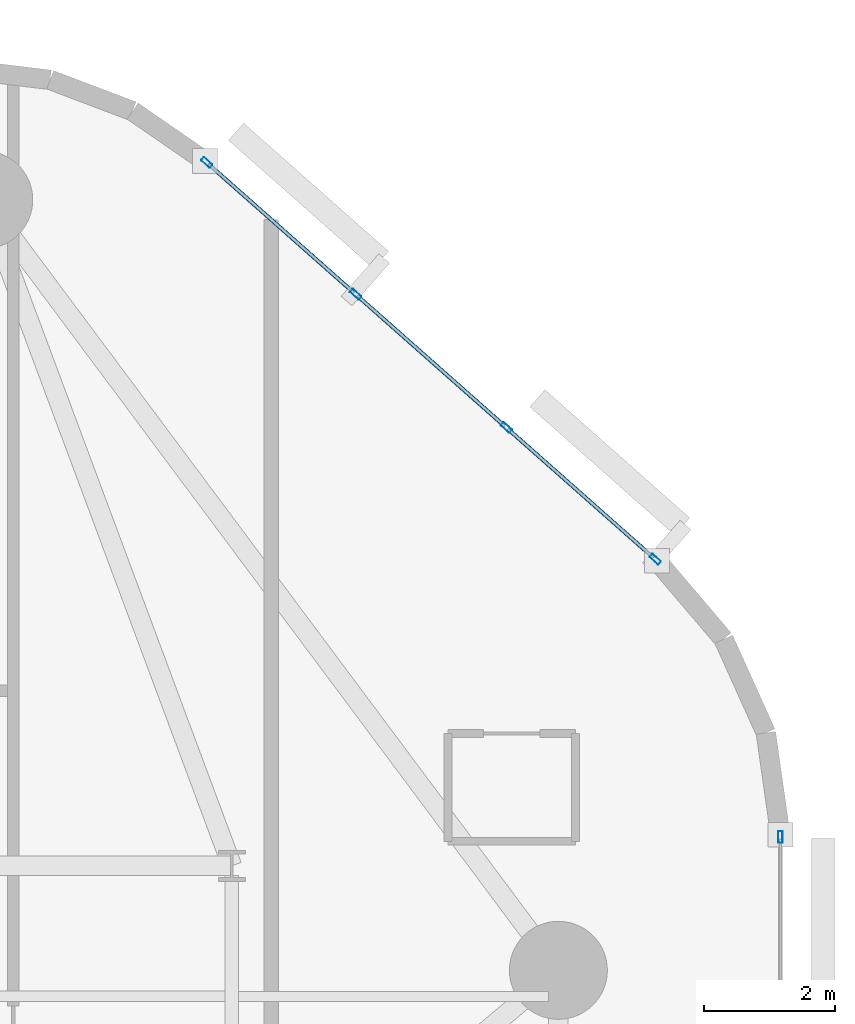
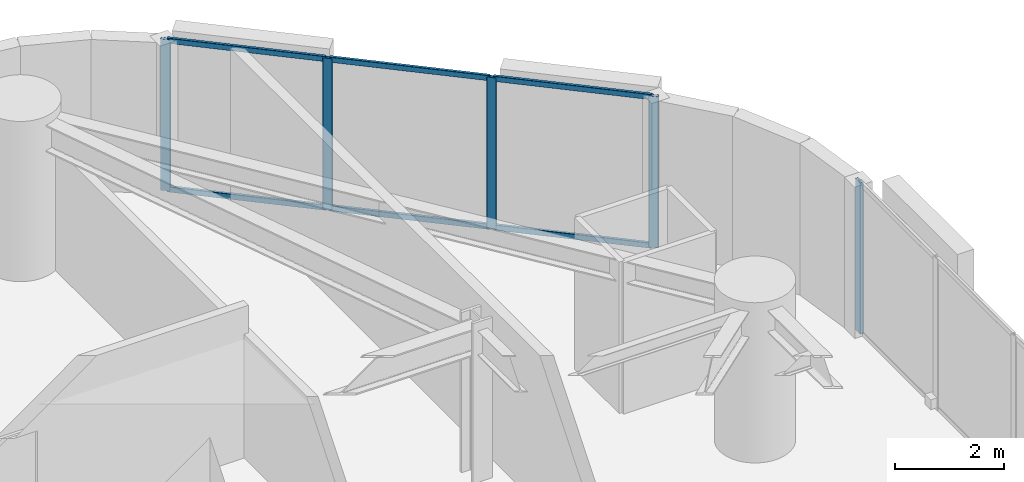
# One storey, part 8 of 16: 11 members, 2 elements without a shape of their own.
"""IFC4 building model written with IfcOpenShell, lengths in metres."""

from ifc_helpers import new_model, si_unit, direction, frame, origin, origin_2d, place, context, subcontext, project, spatial, hollow_rectangle, extrude, material, layer, layer_set, material_profile, profile_set, type_object, element, aggregate, save


model = new_model("IFC4")

# Units and contexts
model_context = context("Model", 3, precision=1e-05, world=origin(), true_north=direction((0.0, 1.0)))
body_context = subcontext(model_context, "Body", "Model", "MODEL_VIEW")
ifc_project = project(units=[si_unit("LENGTHUNIT", "METRE"), si_unit("AREAUNIT", "SQUARE_METRE"), si_unit("VOLUMEUNIT", "CUBIC_METRE"), si_unit("PLANEANGLEUNIT", "RADIAN"), si_unit("MASSUNIT", "GRAM", prefix="KILO")], contexts=[model_context])

# Site, building, storey
site_placement = place(None, origin())
site = spatial("IfcSite", under=ifc_project, at=site_placement, CompositionType="ELEMENT")
building_placement = place(site_placement, origin())
building = spatial("IfcBuilding", under=site, at=building_placement, Name="An Khanh Terracotta Commons", CompositionType="ELEMENT")
storey_placement = place(building_placement, frame((0.0, 0.0, 28.800048828125)))
storey = spatial("IfcBuildingStorey", under=building, at=storey_placement, Name="L07", CompositionType="ELEMENT", Elevation=28.800048828125)

# Curtain wall, member
ifc_material = material(Name="Anodised Aluminium 6063-T6", Category="aluminium")
ifc_layer = layer(ifc_material, 0.199951171875, Name="Anodised Aluminium 6063-T6")
ifc_layer_set = layer_set([ifc_layer], Name="Anodised Aluminium 6063-T6")
curtain_wall_type = type_object("IfcCurtainWallType", Name="CW-SYS-02", PredefinedType="USERDEFINED", material=ifc_layer_set)
curtain_wall_1_placement = place(storey_placement, origin())
curtain_wall_1 = element("IfcCurtainWall", 1, at=curtain_wall_1_placement, inside=storey, type_object=curtain_wall_type, Name="L07 CW-02 Unitised Curtain Wall CW-L07-12", ObjectType="UNITISED CURTAIN WALL", PredefinedType="USERDEFINED")
ifc_material_profile_1 = material_profile(ifc_material, hollow_rectangle(XDim=0.070068359375, YDim=0.179931640625, WallThickness=0.00390625, InnerFilletRadius=0.00390625, OuterFilletRadius=0.008056640625, at=origin_2d()), Name="RHS180x70x4")
ifc_profile_set_1 = profile_set([ifc_material_profile_1], Name="Anodised Aluminium 6063-T6")
member_type_1 = type_object("IfcMemberType", Name="CWM-RHS180x70x4", PredefinedType="MULLION", material=ifc_profile_set_1)
member_1_placement = place(storey_placement, frame((51.60009765625, 34.0419921875, 0.0), z_axis=(0.0, 0.0, 1.0), x_axis=(-1.0, 0.0, 0.0)))
member_1 = element("IfcMember", 2, at=member_1_placement, type_object=member_type_1, Name="CW-02 mullion 8", PredefinedType="MULLION", context=body_context, shape_type="SweptSolid", body=[
    extrude(hollow_rectangle(XDim=0.070068359375, YDim=0.179931640625, WallThickness=0.00390625, InnerFilletRadius=0.00390625, OuterFilletRadius=0.008056640625, at=origin_2d()), origin(), (0.0, 0.0, 1.0), 3.39990234375),
])
aggregate(curtain_wall_1, [member_1])

# Curtain wall, members
curtain_wall_2_placement = place(storey_placement, origin())
curtain_wall_2 = element("IfcCurtainWall", 3, at=curtain_wall_2_placement, inside=storey, type_object=curtain_wall_type, Name="L07 CW-02 Unitised Curtain Wall CW-L07-16", ObjectType="UNITISED CURTAIN WALL", PredefinedType="USERDEFINED")
member_2_placement = place(storey_placement, frame((49.683837890625, 38.295166015625, 0.0), z_axis=(0.0, 0.0, 1.0), x_axis=(-0.662548195415, -0.749019284633, 0.0)))
member_2 = element("IfcMember", 4, at=member_2_placement, type_object=member_type_1, Name="CW-02 mullion 1", PredefinedType="MULLION", context=body_context, shape_type="SweptSolid", body=[
    extrude(hollow_rectangle(XDim=0.070068359375, YDim=0.179931640625, WallThickness=0.00390625, InnerFilletRadius=0.00390625, OuterFilletRadius=0.008056640625, at=origin_2d()), origin(), (0.0, 0.0, 1.0), 3.39990234375),
])
member_3_placement = place(storey_placement, frame((47.403076171875, 40.312744140625, 0.0), z_axis=(0.0, 0.0, 1.0), x_axis=(-0.662548195415, -0.749019284633, 0.0)))
member_3 = element("IfcMember", 5, at=member_3_placement, type_object=member_type_1, Name="CW-02 mullion 2", PredefinedType="MULLION", context=body_context, shape_type="SweptSolid", body=[
    extrude(hollow_rectangle(XDim=0.070068359375, YDim=0.179931640625, WallThickness=0.00390625, InnerFilletRadius=0.00390625, OuterFilletRadius=0.008056640625, at=origin_2d()), origin(), (0.0, 0.0, 1.0), 3.39990234375),
])
member_4_placement = place(storey_placement, frame((45.095947265625, 42.353271484375, 0.0), z_axis=(0.0, 0.0, 1.0), x_axis=(-0.662548195415, -0.749019284633, 0.0)))
member_4 = element("IfcMember", 6, at=member_4_placement, type_object=member_type_1, Name="CW-02 mullion 3", PredefinedType="MULLION", context=body_context, shape_type="SweptSolid", body=[
    extrude(hollow_rectangle(XDim=0.070068359375, YDim=0.179931640625, WallThickness=0.00390625, InnerFilletRadius=0.00390625, OuterFilletRadius=0.008056640625, at=origin_2d()), origin(), (0.0, 0.0, 1.0), 3.39990234375),
])
member_5_placement = place(storey_placement, frame((42.815185546875, 44.370849609375, 0.0), z_axis=(0.0, 0.0, 1.0), x_axis=(-0.662548195415, -0.749019284633, 0.0)))
member_5 = element("IfcMember", 7, at=member_5_placement, type_object=member_type_1, Name="CW-02 mullion 4", PredefinedType="MULLION", context=body_context, shape_type="SweptSolid", body=[
    extrude(hollow_rectangle(XDim=0.070068359375, YDim=0.179931640625, WallThickness=0.00390625, InnerFilletRadius=0.00390625, OuterFilletRadius=0.008056640625, at=origin_2d()), origin(), (0.0, 0.0, 1.0), 3.39990234375),
])
ifc_material_profile_2 = material_profile(ifc_material, hollow_rectangle(XDim=0.06005859375, YDim=0.1201171875, WallThickness=0.003662109375, InnerFilletRadius=0.003662109375, OuterFilletRadius=0.007080078125, at=origin_2d()), Name="RHS120x60x3.6")
ifc_profile_set_2 = profile_set([ifc_material_profile_2], Name="Anodised Aluminium 6063-T6")
member_type_2 = type_object("IfcMemberType", Name="CWT-RHS120x60x3.6", PredefinedType="USERDEFINED", material=ifc_profile_set_2)
member_6_placement = place(storey_placement, frame((49.657470703125, 38.318359375, 0.030029296875), z_axis=(-0.74899186341, 0.662579194168, 0.0), x_axis=(-0.662579194168, -0.74899186341, 0.0)))
member_6 = element("IfcMember", 8, at=member_6_placement, type_object=member_type_2, Name="CW-02 transom 1.1", ObjectType="TRANSOM", PredefinedType="USERDEFINED", context=body_context, shape_type="SweptSolid", body=[
    extrude(hollow_rectangle(XDim=0.06005859375, YDim=0.1201171875, WallThickness=0.003662109375, InnerFilletRadius=0.003662109375, OuterFilletRadius=0.007080078125, at=origin_2d()), origin(), (0.0, 0.0, 1.0), 2.97509765625),
])
member_7_placement = place(storey_placement, frame((49.657470703125, 38.318359375, 3.369873046875), z_axis=(-0.74899186341, 0.662579194168, 0.0), x_axis=(-0.662579194168, -0.74899186341, 0.0)))
member_7 = element("IfcMember", 9, at=member_7_placement, type_object=member_type_2, Name="CW-02 transom 1.2", ObjectType="TRANSOM", PredefinedType="USERDEFINED", context=body_context, shape_type="SweptSolid", body=[
    extrude(hollow_rectangle(XDim=0.06005859375, YDim=0.1201171875, WallThickness=0.003662109375, InnerFilletRadius=0.003662109375, OuterFilletRadius=0.007080078125, at=origin_2d()), origin(), (0.0, 0.0, 1.0), 2.97509765625),
])
member_8_placement = place(storey_placement, frame((47.376708984375, 40.3359375, 0.030029296875), z_axis=(-0.749018237701, 0.662549378984, 0.0), x_axis=(-0.662549378984, -0.749018237701, 0.0)))
member_8 = element("IfcMember", 10, at=member_8_placement, type_object=member_type_2, Name="CW-02 transom 2.1", ObjectType="TRANSOM", PredefinedType="USERDEFINED", context=body_context, shape_type="SweptSolid", body=[
    extrude(hollow_rectangle(XDim=0.06005859375, YDim=0.1201171875, WallThickness=0.003662109375, InnerFilletRadius=0.003662109375, OuterFilletRadius=0.007080078125, at=origin_2d()), origin(), (0.0, 0.0, 1.0), 3.009765625),
])
member_9_placement = place(storey_placement, frame((47.376708984375, 40.3359375, 3.369873046875), z_axis=(-0.749018237701, 0.662549378984, 0.0), x_axis=(-0.662549378984, -0.749018237701, 0.0)))
member_9 = element("IfcMember", 11, at=member_9_placement, type_object=member_type_2, Name="CW-02 transom 2.2", ObjectType="TRANSOM", PredefinedType="USERDEFINED", context=body_context, shape_type="SweptSolid", body=[
    extrude(hollow_rectangle(XDim=0.06005859375, YDim=0.1201171875, WallThickness=0.003662109375, InnerFilletRadius=0.003662109375, OuterFilletRadius=0.007080078125, at=origin_2d()), origin(), (0.0, 0.0, 1.0), 3.009765625),
])
member_10_placement = place(storey_placement, frame((45.06982421875, 42.37646484375, 0.030029296875), z_axis=(-0.74899186341, 0.662579194168, 0.0), x_axis=(-0.662579194168, -0.74899186341, 0.0)))
member_10 = element("IfcMember", 12, at=member_10_placement, type_object=member_type_2, Name="CW-02 transom 3.1", ObjectType="TRANSOM", PredefinedType="USERDEFINED", context=body_context, shape_type="SweptSolid", body=[
    extrude(hollow_rectangle(XDim=0.06005859375, YDim=0.1201171875, WallThickness=0.003662109375, InnerFilletRadius=0.003662109375, OuterFilletRadius=0.007080078125, at=origin_2d()), origin(), (0.0, 0.0, 1.0), 2.97509765625),
])
member_11_placement = place(storey_placement, frame((45.06982421875, 42.37646484375, 3.369873046875), z_axis=(-0.74899186341, 0.662579194168, 0.0), x_axis=(-0.662579194168, -0.74899186341, 0.0)))
member_11 = element("IfcMember", 13, at=member_11_placement, type_object=member_type_2, Name="CW-02 transom 3.2", ObjectType="TRANSOM", PredefinedType="USERDEFINED", context=body_context, shape_type="SweptSolid", body=[
    extrude(hollow_rectangle(XDim=0.06005859375, YDim=0.1201171875, WallThickness=0.003662109375, InnerFilletRadius=0.003662109375, OuterFilletRadius=0.007080078125, at=origin_2d()), origin(), (0.0, 0.0, 1.0), 2.97509765625),
])
aggregate(curtain_wall_2, [member_2, member_3, member_4, member_5, member_6, member_7, member_8, member_9, member_10, member_11])

save(model, "model.ifc")
